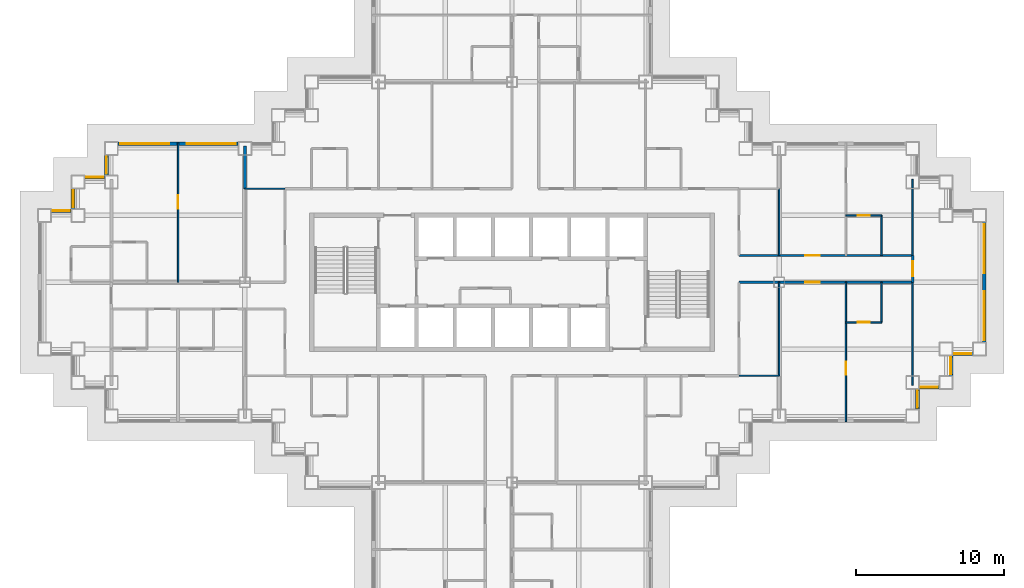
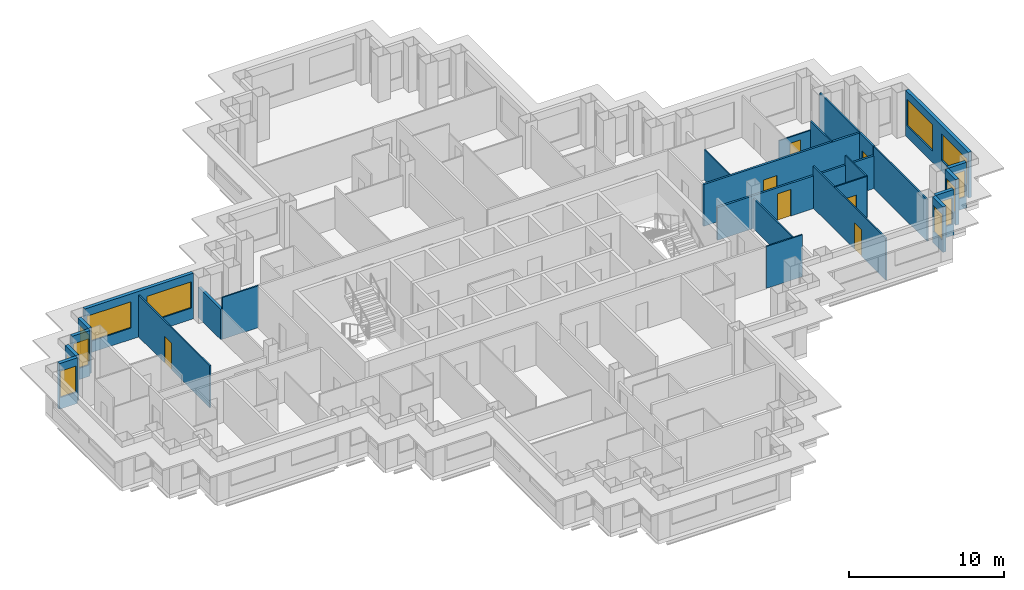
# One storey, part 7 of 15: 26 walls, 12 windows, 7 doors, 19 openings.
"""IFC4 building model written with IfcOpenShell, lengths in metres."""

from ifc_helpers import new_model, si_unit, direction, frame, frame_2d, origin, place, context, subcontext, project, spatial, rectangle, extrude, material, layer, layer_set, type_object, element, fill, save


model = new_model("IFC4")

# Units and contexts
model_context = context("Model", 3, precision=1e-05, world=origin(), true_north=direction((0.0, 1.0)))
body_context = subcontext(model_context, "Body", "Model", "MODEL_VIEW")
ifc_project = project(units=[si_unit("LENGTHUNIT", "METRE"), si_unit("AREAUNIT", "SQUARE_METRE"), si_unit("VOLUMEUNIT", "CUBIC_METRE"), si_unit("PLANEANGLEUNIT", "RADIAN"), si_unit("MASSUNIT", "GRAM", prefix="KILO")], contexts=[model_context])

# Site, building, storey
site_placement = place(None, origin())
site = spatial("IfcSite", under=ifc_project, at=site_placement, CompositionType="ELEMENT")
building_placement = place(site_placement, origin())
building = spatial("IfcBuilding", under=site, at=building_placement, Name="Caravel Reach Hotel and Residences", CompositionType="ELEMENT")
storey_placement = place(building_placement, frame((0.0, 0.0, 108.0)))
storey = spatial("IfcBuildingStorey", under=building, at=storey_placement, Name="L26", CompositionType="ELEMENT", Elevation=108.0)

# Wall, opening, door
ifc_material_1 = material(Name="Gypsum board on steel stud", Category="steel")
ifc_layer_1 = layer(ifc_material_1, 0.10009765625)
ifc_layer_set_1 = layer_set([ifc_layer_1], Name="Bathroom pod wall 100 mm")
wall_type_1 = type_object("IfcWallType", Name="Bathroom pod wall 100 mm", PredefinedType="PARTITIONING", material=ifc_layer_set_1)
wall_1_placement = place(storey_placement, frame((54.0, 24.300048828125, 0.0), z_axis=(0.0, 0.0, 1.0), x_axis=(1.0, 0.0, 0.0)))
wall_1 = element("IfcWall", 1, at=wall_1_placement, inside=storey, type_object=wall_type_1, Name="L26 wall w087", PredefinedType="PARTITIONING", context=body_context, shape_type="SweptSolid", body=[
    extrude(rectangle(XDim=2.39990234375, YDim=0.10009765625, at=frame_2d((1.199951171875, 0.0))), origin(), (0.0, 0.0, 1.0), 3.300048828125),
])
opening_1_placement = place(wall_1_placement, frame((0.800048828125, 0.0, 0.0)))
opening_1 = element("IfcOpeningElement", 2, at=opening_1_placement, cuts=wall_1, Name="Opening D26-024", PredefinedType="OPENING", context=body_context, shape_type="SweptSolid", body=[
    extrude(rectangle(XDim=0.800048828125, YDim=2.10009765625, at=frame_2d((0.39990234375, 1.050048828125))), frame((0.0, 0.06005859375, 0.0), z_axis=(0.0, -1.0, 0.0), x_axis=(1.0, 0.0, 0.0)), (0.0, 0.0, 1.0), 0.1201171875),
])
ifc_material_2 = material(Name="Timber and steel door leaf", Category="steel")
door_type_1 = type_object("IfcDoorType", Name="Bathroom door 800 x 2100", OperationType="SINGLE_SWING_LEFT", PredefinedType="DOOR", material=ifc_material_2)
door_1_placement = place(opening_1_placement, origin())
door_1 = element("IfcDoor", 3, at=door_1_placement, inside=storey, type_object=door_type_1, Name="door D26-024", OperationType="SINGLE_SWING_LEFT", OverallHeight=2.10009765625, OverallWidth=0.800048828125, PredefinedType="DOOR", context=body_context, shape_type="SweptSolid", body=[
    extrude(rectangle(XDim=0.800048828125, YDim=2.10009765625, at=frame_2d((0.39990234375, 1.050048828125))), frame((0.0, 0.02490234375, 0.0), z_axis=(0.0, -1.0, 0.0), x_axis=(1.0, 0.0, 0.0)), (0.0, 0.0, 1.0), 0.050048828125),
])
fill(opening_1, door_1)

wall_2_placement = place(storey_placement, frame((54.0, 31.5, 0.0), z_axis=(0.0, 0.0, 1.0), x_axis=(1.0, 0.0, 0.0)))
wall_2 = element("IfcWall", 4, at=wall_2_placement, inside=storey, type_object=wall_type_1, Name="L26 wall w091", PredefinedType="PARTITIONING", context=body_context, shape_type="SweptSolid", body=[
    extrude(rectangle(XDim=2.39990234375, YDim=0.10009765625, at=frame_2d((1.199951171875, 0.0))), origin(), (0.0, 0.0, 1.0), 2.580078125),
])
opening_2_placement = place(wall_2_placement, frame((0.800048828125, 0.0, 0.0)))
opening_2 = element("IfcOpeningElement", 5, at=opening_2_placement, cuts=wall_2, Name="Opening D26-027", PredefinedType="OPENING", context=body_context, shape_type="SweptSolid", body=[
    extrude(rectangle(XDim=0.800048828125, YDim=2.10009765625, at=frame_2d((0.39990234375, 1.050048828125))), frame((0.0, 0.06005859375, 0.0), z_axis=(0.0, -1.0, 0.0), x_axis=(1.0, 0.0, 0.0)), (0.0, 0.0, 1.0), 0.1201171875),
])
door_2_placement = place(opening_2_placement, origin())
door_2 = element("IfcDoor", 6, at=door_2_placement, inside=storey, type_object=door_type_1, Name="door D26-027", OperationType="SINGLE_SWING_LEFT", OverallHeight=2.10009765625, OverallWidth=0.800048828125, PredefinedType="DOOR", context=body_context, shape_type="SweptSolid", body=[
    extrude(rectangle(XDim=0.800048828125, YDim=2.10009765625, at=frame_2d((0.39990234375, 1.050048828125))), frame((0.0, 0.02490234375, 0.0), z_axis=(0.0, -1.0, 0.0), x_axis=(1.0, 0.0, 0.0)), (0.0, 0.0, 1.0), 0.050048828125),
])
fill(opening_2, door_2)

# Walls
for number, where, z_axis, x_axis, name in (
    (7, (56.39990234375, 28.800048828125, 0.0), (0.0, 0.0, 1.0), (0.0, 1.0, 0.0), "L26 wall w113"),
    (8, (56.39990234375, 24.300048828125, 0.0), (0.0, 0.0, 1.0), (0.0, 1.0, 0.0), "L26 wall w114"),
):
    element("IfcWall", number, at=place(storey_placement, frame(where, z_axis=z_axis, x_axis=x_axis)), inside=storey, type_object=wall_type_1, Name=name, PredefinedType="PARTITIONING", context=body_context, shape_type="SweptSolid", body=[
        extrude(rectangle(XDim=2.699951171875, YDim=0.10009765625, at=frame_2d((1.35009765625, 0.0))), origin(), (0.0, 0.0, 1.0), 3.300048828125),
    ])

# Wall, opening, door
ifc_material_3 = material(Name="Gypsum board on steel stud, fire-rated", Category="steel")
ifc_layer_2 = layer(ifc_material_3, 0.14990234375)
ifc_layer_set_2 = layer_set([ifc_layer_2], Name="Corridor wall 150 mm EI 60")
wall_type_2 = type_object("IfcWallType", Name="Corridor wall 150 mm EI 60", PredefinedType="PARTITIONING", material=ifc_layer_set_2)
wall_3_placement = place(storey_placement, frame((46.800048828125, 27.0, 0.0), z_axis=(0.0, 0.0, 1.0), x_axis=(1.0, 0.0, 0.0)))
wall_3 = element("IfcWall", 9, at=wall_3_placement, inside=storey, type_object=wall_type_2, Name="L26 wall w009", PredefinedType="PARTITIONING", context=body_context, shape_type="SweptSolid", body=[
    extrude(rectangle(XDim=11.699951171875, YDim=0.14990234375, at=frame_2d((5.85009765625, 0.0))), origin(), (0.0, 0.0, 1.0), 2.580078125),
])
opening_3_placement = place(wall_3_placement, frame((4.449951171875, 0.0, 0.0)))
opening_3 = element("IfcOpeningElement", 10, at=opening_3_placement, cuts=wall_3, Name="Opening D26-022", PredefinedType="OPENING", context=body_context, shape_type="SweptSolid", body=[
    extrude(rectangle(XDim=1.0, YDim=2.10009765625, at=frame_2d((0.5, 1.050048828125))), frame((0.0, 0.0849609375, 0.0), z_axis=(0.0, -1.0, 0.0), x_axis=(1.0, 0.0, 0.0)), (0.0, 0.0, 1.0), 0.169921875),
])
ifc_material_4 = material(Name="Steel fire door leaf", Category="steel")
door_type_2 = type_object("IfcDoorType", Name="Guest room door 1000 x 2100 EI 30", OperationType="SINGLE_SWING_LEFT", PredefinedType="DOOR", material=ifc_material_4)
door_3_placement = place(opening_3_placement, origin())
door_3 = element("IfcDoor", 11, at=door_3_placement, inside=storey, type_object=door_type_2, Name="door D26-022", OperationType="SINGLE_SWING_LEFT", OverallHeight=2.10009765625, OverallWidth=1.0, PredefinedType="DOOR", context=body_context, shape_type="SweptSolid", body=[
    extrude(rectangle(XDim=1.0, YDim=2.10009765625, at=frame_2d((0.5, 1.050048828125))), frame((0.0, 0.02490234375, 0.0), z_axis=(0.0, -1.0, 0.0), x_axis=(1.0, 0.0, 0.0)), (0.0, 0.0, 1.0), 0.050048828125),
])
fill(opening_3, door_3)

wall_4_placement = place(storey_placement, frame((46.800048828125, 28.800048828125, 0.0), z_axis=(0.0, 0.0, 1.0), x_axis=(1.0, 0.0, 0.0)))
wall_4 = element("IfcWall", 12, at=wall_4_placement, inside=storey, type_object=wall_type_2, Name="L26 wall w015", PredefinedType="PARTITIONING", context=body_context, shape_type="SweptSolid", body=[
    extrude(rectangle(XDim=11.699951171875, YDim=0.14990234375, at=frame_2d((5.85009765625, 0.0))), origin(), (0.0, 0.0, 1.0), 3.300048828125),
])
opening_4_placement = place(wall_4_placement, frame((4.449951171875, 0.0, 0.0)))
opening_4 = element("IfcOpeningElement", 13, at=opening_4_placement, cuts=wall_4, Name="Opening D26-025", PredefinedType="OPENING", context=body_context, shape_type="SweptSolid", body=[
    extrude(rectangle(XDim=1.0, YDim=2.10009765625, at=frame_2d((0.5, 1.050048828125))), frame((0.0, 0.0849609375, 0.0), z_axis=(0.0, -1.0, 0.0), x_axis=(1.0, 0.0, 0.0)), (0.0, 0.0, 1.0), 0.169921875),
])
door_4_placement = place(opening_4_placement, origin())
door_4 = element("IfcDoor", 14, at=door_4_placement, inside=storey, type_object=door_type_2, Name="door D26-025", OperationType="SINGLE_SWING_LEFT", OverallHeight=2.10009765625, OverallWidth=1.0, PredefinedType="DOOR", context=body_context, shape_type="SweptSolid", body=[
    extrude(rectangle(XDim=1.0, YDim=2.10009765625, at=frame_2d((0.5, 1.050048828125))), frame((0.0, 0.02490234375, 0.0), z_axis=(0.0, -1.0, 0.0), x_axis=(1.0, 0.0, 0.0)), (0.0, 0.0, 1.0), 0.050048828125),
])
fill(opening_4, door_4)

wall_5_placement = place(storey_placement, frame((58.5, 27.0, 0.0), z_axis=(0.0, 0.0, 1.0), x_axis=(0.0, 1.0, 0.0)))
wall_5 = element("IfcWall", 15, at=wall_5_placement, inside=storey, type_object=wall_type_2, Name="L26 wall w041", PredefinedType="PARTITIONING", context=body_context, shape_type="SweptSolid", body=[
    extrude(rectangle(XDim=1.800048828125, YDim=0.14990234375, at=frame_2d((0.89990234375, 0.0))), origin(), (0.0, 0.0, 1.0), 3.300048828125),
])
opening_5_placement = place(wall_5_placement, frame((0.39990234375, 0.0, 0.0)))
opening_5 = element("IfcOpeningElement", 16, at=opening_5_placement, cuts=wall_5, Name="Opening D26-041", PredefinedType="OPENING", context=body_context, shape_type="SweptSolid", body=[
    extrude(rectangle(XDim=1.0, YDim=2.10009765625, at=frame_2d((0.5, 1.050048828125))), frame((0.0, 0.0849609375, 0.0), z_axis=(0.0, -1.0, 0.0), x_axis=(1.0, 0.0, 0.0)), (0.0, 0.0, 1.0), 0.169921875),
])
door_5_placement = place(opening_5_placement, origin())
door_5 = element("IfcDoor", 17, at=door_5_placement, inside=storey, type_object=door_type_2, Name="door D26-041", OperationType="SINGLE_SWING_LEFT", OverallHeight=2.10009765625, OverallWidth=1.0, PredefinedType="DOOR", context=body_context, shape_type="SweptSolid", body=[
    extrude(rectangle(XDim=1.0, YDim=2.10009765625, at=frame_2d((0.5, 1.050048828125))), frame((0.0, 0.02490234375, 0.0), z_axis=(0.0, -1.0, 0.0), x_axis=(1.0, 0.0, 0.0)), (0.0, 0.0, 1.0), 0.050048828125),
])
fill(opening_5, door_5)

# Wall, opening, window
ifc_material_5 = material(Name="Insulated rainscreen wall, aluminium cladding", Category="aluminium")
ifc_layer_3 = layer(ifc_material_5, 0.25)
ifc_layer_set_3 = layer_set([ifc_layer_3], Name="EW1 Tower rainscreen wall")
wall_type_3 = type_object("IfcWallType", Name="EW1 Tower rainscreen wall", PredefinedType="SOLIDWALL", material=ifc_layer_set_3)
wall_6_placement = place(storey_placement, frame((58.824951171875, 18.449951171875, 0.0), z_axis=(0.0, 0.0, 1.0), x_axis=(0.0, 1.0, 0.0)))
wall_6 = element("IfcWall", 18, at=wall_6_placement, inside=storey, type_object=wall_type_3, Name="External wall L26 E16.1", PredefinedType="SOLIDWALL", context=body_context, shape_type="SweptSolid", body=[
    extrude(rectangle(XDim=1.35009765625, YDim=0.25, at=frame_2d((0.675048828125, 0.0))), origin(), (0.0, 0.0, 1.0), 3.60009765625),
])
opening_6_placement = place(wall_6_placement, frame((0.10009765625, 0.0, 0.89990234375)))
opening_6 = element("IfcOpeningElement", 19, at=opening_6_placement, cuts=wall_6, Name="Opening WN8", PredefinedType="OPENING", context=body_context, shape_type="SweptSolid", body=[
    extrude(rectangle(XDim=1.14990234375, YDim=2.080078125, at=frame_2d((0.574951171875, 1.0400390625))), frame((0.0, 0.135009765625, 0.0), z_axis=(0.0, -1.0, 0.0), x_axis=(1.0, 0.0, 0.0)), (0.0, 0.0, 1.0), 0.27001953125),
])
ifc_material_6 = material(Name="Dark low-e glazing in black aluminium frame", Category="aluminium")
window_type_1 = type_object("IfcWindowType", Name="Hotel suite corner window 1150 x 2080", PartitioningType="SINGLE_PANEL", PredefinedType="WINDOW", material=ifc_material_6)
window_1_placement = place(opening_6_placement, origin())
window_1 = element("IfcWindow", 20, at=window_1_placement, inside=storey, type_object=window_type_1, Name="Window L26 E16.1.1", OverallHeight=2.080078125, OverallWidth=1.14990234375, PartitioningType="SINGLE_PANEL", PredefinedType="WINDOW", context=body_context, shape_type="SweptSolid", body=[
    extrude(rectangle(XDim=1.14990234375, YDim=2.080078125, at=frame_2d((0.574951171875, 1.0400390625))), frame((0.0, 0.030029296875, 0.0), z_axis=(0.0, -1.0, 0.0), x_axis=(1.0, 0.0, 0.0)), (0.0, 0.0, 1.0), 0.06005859375),
])
fill(opening_6, window_1)

wall_7_placement = place(storey_placement, frame((58.949951171875, 19.925048828125, 0.0), z_axis=(0.0, 0.0, 1.0), x_axis=(1.0, 0.0, 0.0)))
wall_7 = element("IfcWall", 21, at=wall_7_placement, inside=storey, type_object=wall_type_3, Name="External wall L26 S17.1", PredefinedType="SOLIDWALL", context=body_context, shape_type="SweptSolid", body=[
    extrude(rectangle(XDim=1.35009765625, YDim=0.25, at=frame_2d((0.675048828125, 0.0))), origin(), (0.0, 0.0, 1.0), 3.60009765625),
])
opening_7_placement = place(wall_7_placement, frame((0.10009765625, 0.0, 0.89990234375)))
opening_7 = element("IfcOpeningElement", 22, at=opening_7_placement, cuts=wall_7, Name="Opening WN8", PredefinedType="OPENING", context=body_context, shape_type="SweptSolid", body=[
    extrude(rectangle(XDim=1.14990234375, YDim=2.080078125, at=frame_2d((0.574951171875, 1.0400390625))), frame((0.0, 0.135009765625, 0.0), z_axis=(0.0, -1.0, 0.0), x_axis=(1.0, 0.0, 0.0)), (0.0, 0.0, 1.0), 0.27001953125),
])
window_2_placement = place(opening_7_placement, origin())
window_2 = element("IfcWindow", 23, at=window_2_placement, inside=storey, type_object=window_type_1, Name="Window L26 S17.1.1", OverallHeight=2.080078125, OverallWidth=1.14990234375, PartitioningType="SINGLE_PANEL", PredefinedType="WINDOW", context=body_context, shape_type="SweptSolid", body=[
    extrude(rectangle(XDim=1.14990234375, YDim=2.080078125, at=frame_2d((0.574951171875, 1.0400390625))), frame((0.0, 0.030029296875, 0.0), z_axis=(0.0, -1.0, 0.0), x_axis=(1.0, 0.0, 0.0)), (0.0, 0.0, 1.0), 0.06005859375),
])
fill(opening_7, window_2)

wall_8_placement = place(storey_placement, frame((61.074951171875, 20.699951171875, 0.0), z_axis=(0.0, 0.0, 1.0), x_axis=(0.0, 1.0, 0.0)))
wall_8 = element("IfcWall", 24, at=wall_8_placement, inside=storey, type_object=wall_type_3, Name="External wall L26 E18.1", PredefinedType="SOLIDWALL", context=body_context, shape_type="SweptSolid", body=[
    extrude(rectangle(XDim=1.35009765625, YDim=0.25, at=frame_2d((0.675048828125, 0.0))), origin(), (0.0, 0.0, 1.0), 3.60009765625),
])
opening_8_placement = place(wall_8_placement, frame((0.10009765625, 0.0, 0.89990234375)))
opening_8 = element("IfcOpeningElement", 25, at=opening_8_placement, cuts=wall_8, Name="Opening WN8", PredefinedType="OPENING", context=body_context, shape_type="SweptSolid", body=[
    extrude(rectangle(XDim=1.14990234375, YDim=2.080078125, at=frame_2d((0.574951171875, 1.0400390625))), frame((0.0, 0.135009765625, 0.0), z_axis=(0.0, -1.0, 0.0), x_axis=(1.0, 0.0, 0.0)), (0.0, 0.0, 1.0), 0.27001953125),
])
window_3_placement = place(opening_8_placement, origin())
window_3 = element("IfcWindow", 26, at=window_3_placement, inside=storey, type_object=window_type_1, Name="Window L26 E18.1.1", OverallHeight=2.080078125, OverallWidth=1.14990234375, PartitioningType="SINGLE_PANEL", PredefinedType="WINDOW", context=body_context, shape_type="SweptSolid", body=[
    extrude(rectangle(XDim=1.14990234375, YDim=2.080078125, at=frame_2d((0.574951171875, 1.0400390625))), frame((0.0, 0.030029296875, 0.0), z_axis=(0.0, -1.0, 0.0), x_axis=(1.0, 0.0, 0.0)), (0.0, 0.0, 1.0), 0.06005859375),
])
fill(opening_8, window_3)

wall_9_placement = place(storey_placement, frame((61.199951171875, 22.175048828125, 0.0), z_axis=(0.0, 0.0, 1.0), x_axis=(1.0, 0.0, 0.0)))
wall_9 = element("IfcWall", 27, at=wall_9_placement, inside=storey, type_object=wall_type_3, Name="External wall L26 S19.1", PredefinedType="SOLIDWALL", context=body_context, shape_type="SweptSolid", body=[
    extrude(rectangle(XDim=1.35009765625, YDim=0.25, at=frame_2d((0.675048828125, 0.0))), origin(), (0.0, 0.0, 1.0), 3.60009765625),
])
opening_9_placement = place(wall_9_placement, frame((0.10009765625, 0.0, 0.89990234375)))
opening_9 = element("IfcOpeningElement", 28, at=opening_9_placement, cuts=wall_9, Name="Opening WN8", PredefinedType="OPENING", context=body_context, shape_type="SweptSolid", body=[
    extrude(rectangle(XDim=1.14990234375, YDim=2.080078125, at=frame_2d((0.574951171875, 1.0400390625))), frame((0.0, 0.135009765625, 0.0), z_axis=(0.0, -1.0, 0.0), x_axis=(1.0, 0.0, 0.0)), (0.0, 0.0, 1.0), 0.27001953125),
])
window_4_placement = place(opening_9_placement, origin())
window_4 = element("IfcWindow", 29, at=window_4_placement, inside=storey, type_object=window_type_1, Name="Window L26 S19.1.1", OverallHeight=2.080078125, OverallWidth=1.14990234375, PartitioningType="SINGLE_PANEL", PredefinedType="WINDOW", context=body_context, shape_type="SweptSolid", body=[
    extrude(rectangle(XDim=1.14990234375, YDim=2.080078125, at=frame_2d((0.574951171875, 1.0400390625))), frame((0.0, 0.030029296875, 0.0), z_axis=(0.0, -1.0, 0.0), x_axis=(1.0, 0.0, 0.0)), (0.0, 0.0, 1.0), 0.06005859375),
])
fill(opening_9, window_4)

# Wall, openings, windows
wall_10_placement = place(storey_placement, frame((63.324951171875, 22.949951171875, 0.0), z_axis=(0.0, 0.0, 1.0), x_axis=(0.0, 1.0, 0.0)))
wall_10 = element("IfcWall", 30, at=wall_10_placement, inside=storey, type_object=wall_type_3, Name="External wall L26 E20.1", PredefinedType="SOLIDWALL", context=body_context, shape_type="SweptSolid", body=[
    extrude(rectangle(XDim=8.10009765625, YDim=0.25, at=frame_2d((4.050048828125, 0.0))), origin(), (0.0, 0.0, 1.0), 3.60009765625),
])
opening_10_placement = place(wall_10_placement, frame((0.14990234375, 0.0, 0.89990234375)))
opening_10 = element("IfcOpeningElement", 31, at=opening_10_placement, cuts=wall_10, Name="Opening WN4", PredefinedType="OPENING", context=body_context, shape_type="SweptSolid", body=[
    extrude(rectangle(XDim=3.300048828125, YDim=2.080078125, at=frame_2d((1.64990234375, 1.0400390625))), frame((0.0, 0.135009765625, 0.0), z_axis=(0.0, -1.0, 0.0), x_axis=(1.0, 0.0, 0.0)), (0.0, 0.0, 1.0), 0.27001953125),
])
opening_11_placement = place(wall_10_placement, frame((4.64990234375, 0.0, 0.89990234375)))
opening_11 = element("IfcOpeningElement", 32, at=opening_11_placement, cuts=wall_10, Name="Opening WN4", PredefinedType="OPENING", context=body_context, shape_type="SweptSolid", body=[
    extrude(rectangle(XDim=3.300048828125, YDim=2.080078125, at=frame_2d((1.64990234375, 1.0400390625))), frame((0.0, 0.135009765625, 0.0), z_axis=(0.0, -1.0, 0.0), x_axis=(1.0, 0.0, 0.0)), (0.0, 0.0, 1.0), 0.27001953125),
])
ifc_material_7 = material(Name="Dark low-e glazing in black aluminium frame", Category="aluminium")
window_type_2 = type_object("IfcWindowType", Name="Hotel guest room window 3300 x 2080", PartitioningType="SINGLE_PANEL", PredefinedType="WINDOW", material=ifc_material_7)
window_5_placement = place(opening_10_placement, origin())
window_5 = element("IfcWindow", 33, at=window_5_placement, inside=storey, type_object=window_type_2, Name="Window L26 E20.1.1", OverallHeight=2.080078125, OverallWidth=3.300048828125, PartitioningType="SINGLE_PANEL", PredefinedType="WINDOW", context=body_context, shape_type="SweptSolid", body=[
    extrude(rectangle(XDim=3.300048828125, YDim=2.080078125, at=frame_2d((1.64990234375, 1.0400390625))), frame((0.0, 0.030029296875, 0.0), z_axis=(0.0, -1.0, 0.0), x_axis=(1.0, 0.0, 0.0)), (0.0, 0.0, 1.0), 0.06005859375),
])
fill(opening_10, window_5)
window_6_placement = place(opening_11_placement, origin())
window_6 = element("IfcWindow", 34, at=window_6_placement, inside=storey, type_object=window_type_2, Name="Window L26 E20.1.2", OverallHeight=2.080078125, OverallWidth=3.300048828125, PartitioningType="SINGLE_PANEL", PredefinedType="WINDOW", context=body_context, shape_type="SweptSolid", body=[
    extrude(rectangle(XDim=3.300048828125, YDim=2.080078125, at=frame_2d((1.64990234375, 1.0400390625))), frame((0.0, 0.030029296875, 0.0), z_axis=(0.0, -1.0, 0.0), x_axis=(1.0, 0.0, 0.0)), (0.0, 0.0, 1.0), 0.06005859375),
])
fill(opening_11, window_6)

wall_11_placement = place(storey_placement, frame((13.050048828125, 36.324951171875, 0.0), z_axis=(0.0, 0.0, 1.0), x_axis=(-1.0, 0.0, 0.0)))
wall_11 = element("IfcWall", 35, at=wall_11_placement, inside=storey, type_object=wall_type_3, Name="External wall L26 N45.2", PredefinedType="SOLIDWALL", context=body_context, shape_type="SweptSolid", body=[
    extrude(rectangle(XDim=8.10009765625, YDim=0.25, at=frame_2d((4.050048828125, 0.0))), origin(), (0.0, 0.0, 1.0), 3.60009765625),
])
opening_12_placement = place(wall_11_placement, frame((0.14990234375, 0.0, 0.89990234375)))
opening_12 = element("IfcOpeningElement", 36, at=opening_12_placement, cuts=wall_11, Name="Opening WN4", PredefinedType="OPENING", context=body_context, shape_type="SweptSolid", body=[
    extrude(rectangle(XDim=3.300048828125, YDim=2.080078125, at=frame_2d((1.64990234375, 1.0400390625))), frame((0.0, 0.135009765625, 0.0), z_axis=(0.0, -1.0, 0.0), x_axis=(1.0, 0.0, 0.0)), (0.0, 0.0, 1.0), 0.27001953125),
])
opening_13_placement = place(wall_11_placement, frame((4.64990234375, 0.0, 0.89990234375)))
opening_13 = element("IfcOpeningElement", 37, at=opening_13_placement, cuts=wall_11, Name="Opening WN4", PredefinedType="OPENING", context=body_context, shape_type="SweptSolid", body=[
    extrude(rectangle(XDim=3.300048828125, YDim=2.080078125, at=frame_2d((1.64990234375, 1.0400390625))), frame((0.0, 0.135009765625, 0.0), z_axis=(0.0, -1.0, 0.0), x_axis=(1.0, 0.0, 0.0)), (0.0, 0.0, 1.0), 0.27001953125),
])
window_7_placement = place(opening_12_placement, origin())
window_7 = element("IfcWindow", 38, at=window_7_placement, inside=storey, type_object=window_type_2, Name="Window L26 N45.2.1", OverallHeight=2.080078125, OverallWidth=3.300048828125, PartitioningType="SINGLE_PANEL", PredefinedType="WINDOW", context=body_context, shape_type="SweptSolid", body=[
    extrude(rectangle(XDim=3.300048828125, YDim=2.080078125, at=frame_2d((1.64990234375, 1.0400390625))), frame((0.0, 0.030029296875, 0.0), z_axis=(0.0, -1.0, 0.0), x_axis=(1.0, 0.0, 0.0)), (0.0, 0.0, 1.0), 0.06005859375),
])
fill(opening_12, window_7)
window_8_placement = place(opening_13_placement, origin())
window_8 = element("IfcWindow", 39, at=window_8_placement, inside=storey, type_object=window_type_2, Name="Window L26 N45.2.2", OverallHeight=2.080078125, OverallWidth=3.300048828125, PartitioningType="SINGLE_PANEL", PredefinedType="WINDOW", context=body_context, shape_type="SweptSolid", body=[
    extrude(rectangle(XDim=3.300048828125, YDim=2.080078125, at=frame_2d((1.64990234375, 1.0400390625))), frame((0.0, 0.030029296875, 0.0), z_axis=(0.0, -1.0, 0.0), x_axis=(1.0, 0.0, 0.0)), (0.0, 0.0, 1.0), 0.06005859375),
])
fill(opening_13, window_8)

# Wall, opening, window
wall_12_placement = place(storey_placement, frame((4.175048828125, 35.550048828125, 0.0), z_axis=(0.0, 0.0, 1.0), x_axis=(0.0, -1.0, 0.0)))
wall_12 = element("IfcWall", 40, at=wall_12_placement, inside=storey, type_object=wall_type_3, Name="External wall L26 W46.1", PredefinedType="SOLIDWALL", context=body_context, shape_type="SweptSolid", body=[
    extrude(rectangle(XDim=1.35009765625, YDim=0.25, at=frame_2d((0.675048828125, 0.0))), origin(), (0.0, 0.0, 1.0), 3.60009765625),
])
opening_14_placement = place(wall_12_placement, frame((0.10009765625, 0.0, 0.89990234375)))
opening_14 = element("IfcOpeningElement", 41, at=opening_14_placement, cuts=wall_12, Name="Opening WN8", PredefinedType="OPENING", context=body_context, shape_type="SweptSolid", body=[
    extrude(rectangle(XDim=1.14990234375, YDim=2.080078125, at=frame_2d((0.574951171875, 1.0400390625))), frame((0.0, 0.135009765625, 0.0), z_axis=(0.0, -1.0, 0.0), x_axis=(1.0, 0.0, 0.0)), (0.0, 0.0, 1.0), 0.27001953125),
])
window_9_placement = place(opening_14_placement, origin())
window_9 = element("IfcWindow", 42, at=window_9_placement, inside=storey, type_object=window_type_1, Name="Window L26 W46.1.1", OverallHeight=2.080078125, OverallWidth=1.14990234375, PartitioningType="SINGLE_PANEL", PredefinedType="WINDOW", context=body_context, shape_type="SweptSolid", body=[
    extrude(rectangle(XDim=1.14990234375, YDim=2.080078125, at=frame_2d((0.574951171875, 1.0400390625))), frame((0.0, 0.030029296875, 0.0), z_axis=(0.0, -1.0, 0.0), x_axis=(1.0, 0.0, 0.0)), (0.0, 0.0, 1.0), 0.06005859375),
])
fill(opening_14, window_9)

wall_13_placement = place(storey_placement, frame((4.050048828125, 34.074951171875, 0.0), z_axis=(0.0, 0.0, 1.0), x_axis=(-1.0, 0.0, 0.0)))
wall_13 = element("IfcWall", 43, at=wall_13_placement, inside=storey, type_object=wall_type_3, Name="External wall L26 N47.1", PredefinedType="SOLIDWALL", context=body_context, shape_type="SweptSolid", body=[
    extrude(rectangle(XDim=1.35009765625, YDim=0.25, at=frame_2d((0.675048828125, 0.0))), origin(), (0.0, 0.0, 1.0), 3.60009765625),
])
opening_15_placement = place(wall_13_placement, frame((0.10009765625, 0.0, 0.89990234375)))
opening_15 = element("IfcOpeningElement", 44, at=opening_15_placement, cuts=wall_13, Name="Opening WN8", PredefinedType="OPENING", context=body_context, shape_type="SweptSolid", body=[
    extrude(rectangle(XDim=1.14990234375, YDim=2.080078125, at=frame_2d((0.574951171875, 1.0400390625))), frame((0.0, 0.135009765625, 0.0), z_axis=(0.0, -1.0, 0.0), x_axis=(1.0, 0.0, 0.0)), (0.0, 0.0, 1.0), 0.27001953125),
])
window_10_placement = place(opening_15_placement, origin())
window_10 = element("IfcWindow", 45, at=window_10_placement, inside=storey, type_object=window_type_1, Name="Window L26 N47.1.1", OverallHeight=2.080078125, OverallWidth=1.14990234375, PartitioningType="SINGLE_PANEL", PredefinedType="WINDOW", context=body_context, shape_type="SweptSolid", body=[
    extrude(rectangle(XDim=1.14990234375, YDim=2.080078125, at=frame_2d((0.574951171875, 1.0400390625))), frame((0.0, 0.030029296875, 0.0), z_axis=(0.0, -1.0, 0.0), x_axis=(1.0, 0.0, 0.0)), (0.0, 0.0, 1.0), 0.06005859375),
])
fill(opening_15, window_10)

wall_14_placement = place(storey_placement, frame((1.925048828125, 33.300048828125, 0.0), z_axis=(0.0, 0.0, 1.0), x_axis=(0.0, -1.0, 0.0)))
wall_14 = element("IfcWall", 46, at=wall_14_placement, inside=storey, type_object=wall_type_3, Name="External wall L26 W48.1", PredefinedType="SOLIDWALL", context=body_context, shape_type="SweptSolid", body=[
    extrude(rectangle(XDim=1.35009765625, YDim=0.25, at=frame_2d((0.675048828125, 0.0))), origin(), (0.0, 0.0, 1.0), 3.60009765625),
])
opening_16_placement = place(wall_14_placement, frame((0.10009765625, 0.0, 0.89990234375)))
opening_16 = element("IfcOpeningElement", 47, at=opening_16_placement, cuts=wall_14, Name="Opening WN8", PredefinedType="OPENING", context=body_context, shape_type="SweptSolid", body=[
    extrude(rectangle(XDim=1.14990234375, YDim=2.080078125, at=frame_2d((0.574951171875, 1.0400390625))), frame((0.0, 0.135009765625, 0.0), z_axis=(0.0, -1.0, 0.0), x_axis=(1.0, 0.0, 0.0)), (0.0, 0.0, 1.0), 0.27001953125),
])
window_11_placement = place(opening_16_placement, origin())
window_11 = element("IfcWindow", 48, at=window_11_placement, inside=storey, type_object=window_type_1, Name="Window L26 W48.1.1", OverallHeight=2.080078125, OverallWidth=1.14990234375, PartitioningType="SINGLE_PANEL", PredefinedType="WINDOW", context=body_context, shape_type="SweptSolid", body=[
    extrude(rectangle(XDim=1.14990234375, YDim=2.080078125, at=frame_2d((0.574951171875, 1.0400390625))), frame((0.0, 0.030029296875, 0.0), z_axis=(0.0, -1.0, 0.0), x_axis=(1.0, 0.0, 0.0)), (0.0, 0.0, 1.0), 0.06005859375),
])
fill(opening_16, window_11)

wall_15_placement = place(storey_placement, frame((1.800048828125, 31.824951171875, 0.0), z_axis=(0.0, 0.0, 1.0), x_axis=(-1.0, 0.0, 0.0)))
wall_15 = element("IfcWall", 49, at=wall_15_placement, inside=storey, type_object=wall_type_3, Name="External wall L26 N49.1", PredefinedType="SOLIDWALL", context=body_context, shape_type="SweptSolid", body=[
    extrude(rectangle(XDim=1.35009765625, YDim=0.25, at=frame_2d((0.675048828125, 0.0))), origin(), (0.0, 0.0, 1.0), 3.60009765625),
])
opening_17_placement = place(wall_15_placement, frame((0.10009765625, 0.0, 0.89990234375)))
opening_17 = element("IfcOpeningElement", 50, at=opening_17_placement, cuts=wall_15, Name="Opening WN8", PredefinedType="OPENING", context=body_context, shape_type="SweptSolid", body=[
    extrude(rectangle(XDim=1.14990234375, YDim=2.080078125, at=frame_2d((0.574951171875, 1.0400390625))), frame((0.0, 0.135009765625, 0.0), z_axis=(0.0, -1.0, 0.0), x_axis=(1.0, 0.0, 0.0)), (0.0, 0.0, 1.0), 0.27001953125),
])
window_12_placement = place(opening_17_placement, origin())
window_12 = element("IfcWindow", 51, at=window_12_placement, inside=storey, type_object=window_type_1, Name="Window L26 N49.1.1", OverallHeight=2.080078125, OverallWidth=1.14990234375, PartitioningType="SINGLE_PANEL", PredefinedType="WINDOW", context=body_context, shape_type="SweptSolid", body=[
    extrude(rectangle(XDim=1.14990234375, YDim=2.080078125, at=frame_2d((0.574951171875, 1.0400390625))), frame((0.0, 0.030029296875, 0.0), z_axis=(0.0, -1.0, 0.0), x_axis=(1.0, 0.0, 0.0)), (0.0, 0.0, 1.0), 0.06005859375),
])
fill(opening_17, window_12)

# Walls
ifc_material_8 = material(Name="Gypsum board on steel stud", Category="steel")
ifc_layer_4 = layer(ifc_material_8, 0.10009765625)
ifc_layer_set_4 = layer_set([ifc_layer_4], Name="Partition 100 mm")
wall_type_4 = type_object("IfcWallType", Name="Partition 100 mm", PredefinedType="PARTITIONING", material=ifc_layer_set_4)
for number, where, z_axis, x_axis, name in (
    (52, (46.800048828125, 20.699951171875, 0.0), (0.0, 0.0, 1.0), (1.0, 0.0, 0.0), "L26 wall w046"),
    (53, (13.5, 33.300048828125, 0.0), (0.0, 0.0, 1.0), (1.0, 0.0, 0.0), "L26 wall w047"),
):
    element("IfcWall", number, at=place(storey_placement, frame(where, z_axis=z_axis, x_axis=x_axis)), inside=storey, type_object=wall_type_4, Name=name, PredefinedType="PARTITIONING", context=body_context, shape_type="SweptSolid", body=[
        extrude(rectangle(XDim=2.699951171875, YDim=0.10009765625, at=frame_2d((1.35009765625, 0.0))), origin(), (0.0, 0.0, 1.0), 3.300048828125),
    ])
wall_16_placement = place(storey_placement, frame((49.5, 28.800048828125, 0.0), z_axis=(0.0, 0.0, 1.0), x_axis=(0.0, 1.0, 0.0)))
element("IfcWall", 54, at=wall_16_placement, inside=storey, type_object=wall_type_4, Name="L26 wall w064", PredefinedType="PARTITIONING", context=body_context, shape_type="SweptSolid", body=[
    extrude(rectangle(XDim=4.5, YDim=0.10009765625, at=frame_2d((2.25, 0.0))), origin(), (0.0, 0.0, 1.0), 2.3798828125),
])
wall_17_placement = place(storey_placement, frame((49.5, 20.699951171875, 0.0), z_axis=(0.0, 0.0, 1.0), x_axis=(0.0, 1.0, 0.0)))
element("IfcWall", 55, at=wall_17_placement, inside=storey, type_object=wall_type_4, Name="L26 wall w065", PredefinedType="PARTITIONING", context=body_context, shape_type="SweptSolid", body=[
    extrude(rectangle(XDim=6.300048828125, YDim=0.10009765625, at=frame_2d((3.14990234375, 0.0))), origin(), (0.0, 0.0, 1.0), 2.3798828125),
])

# Wall, opening, door
wall_18_placement = place(storey_placement, frame((54.0, 17.610107421875, 0.0), z_axis=(0.0, 0.0, 1.0), x_axis=(0.0, 1.0, 0.0)))
wall_18 = element("IfcWall", 56, at=wall_18_placement, inside=storey, type_object=wall_type_4, Name="L26 wall w067", PredefinedType="PARTITIONING", context=body_context, shape_type="SweptSolid", body=[
    extrude(rectangle(XDim=9.389892578125, YDim=0.10009765625, at=frame_2d((4.69482421875, 0.0))), origin(), (0.0, 0.0, 1.0), 3.300048828125),
])
opening_18_placement = place(wall_18_placement, frame((3.14990234375, 0.0, 0.0)))
opening_18 = element("IfcOpeningElement", 57, at=opening_18_placement, cuts=wall_18, Name="Opening D26-023", PredefinedType="OPENING", context=body_context, shape_type="SweptSolid", body=[
    extrude(rectangle(XDim=0.89990234375, YDim=2.10009765625, at=frame_2d((0.449951171875, 1.050048828125))), frame((0.0, 0.06005859375, 0.0), z_axis=(0.0, -1.0, 0.0), x_axis=(1.0, 0.0, 0.0)), (0.0, 0.0, 1.0), 0.1201171875),
])
ifc_material_9 = material(Name="Timber and steel door leaf", Category="steel")
door_type_3 = type_object("IfcDoorType", Name="Door 900 x 2100 timber", OperationType="SINGLE_SWING_LEFT", PredefinedType="DOOR", material=ifc_material_9)
door_6_placement = place(opening_18_placement, origin())
door_6 = element("IfcDoor", 58, at=door_6_placement, inside=storey, type_object=door_type_3, Name="door D26-023", OperationType="SINGLE_SWING_LEFT", OverallHeight=2.10009765625, OverallWidth=0.89990234375, PredefinedType="DOOR", context=body_context, shape_type="SweptSolid", body=[
    extrude(rectangle(XDim=0.89990234375, YDim=2.10009765625, at=frame_2d((0.449951171875, 1.050048828125))), frame((0.0, 0.02490234375, 0.0), z_axis=(0.0, -1.0, 0.0), x_axis=(1.0, 0.0, 0.0)), (0.0, 0.0, 1.0), 0.050048828125),
])
fill(opening_18, door_6)

# Walls
wall_19_placement = place(storey_placement, frame((58.5, 28.800048828125, 0.0), z_axis=(0.0, 0.0, 1.0), x_axis=(0.0, 1.0, 0.0)))
element("IfcWall", 59, at=wall_19_placement, inside=storey, type_object=wall_type_4, Name="L26 wall w068", PredefinedType="PARTITIONING", context=body_context, shape_type="SweptSolid", body=[
    extrude(rectangle(XDim=5.139892578125, YDim=0.10009765625, at=frame_2d((2.56982421875, 0.0))), origin(), (0.0, 0.0, 1.0), 3.300048828125),
])
wall_20_placement = place(storey_placement, frame((58.5, 20.06005859375, 0.0), z_axis=(0.0, 0.0, 1.0), x_axis=(0.0, 1.0, 0.0)))
element("IfcWall", 60, at=wall_20_placement, inside=storey, type_object=wall_type_4, Name="L26 wall w069", PredefinedType="PARTITIONING", context=body_context, shape_type="SweptSolid", body=[
    extrude(rectangle(XDim=6.93994140625, YDim=0.10009765625, at=frame_2d((3.469970703125, 0.0))), origin(), (0.0, 0.0, 1.0), 3.300048828125),
])

# Wall, opening, door
wall_21_placement = place(storey_placement, frame((9.0, 27.0, 0.0), z_axis=(0.0, 0.0, 1.0), x_axis=(0.0, 1.0, 0.0)))
wall_21 = element("IfcWall", 61, at=wall_21_placement, inside=storey, type_object=wall_type_4, Name="L26 wall w070", PredefinedType="PARTITIONING", context=body_context, shape_type="SweptSolid", body=[
    extrude(rectangle(XDim=9.389892578125, YDim=0.10009765625, at=frame_2d((4.69482421875, 0.0))), origin(), (0.0, 0.0, 1.0), 3.300048828125),
])
opening_19_placement = place(wall_21_placement, frame((4.949951171875, 0.0, 0.0)))
opening_19 = element("IfcOpeningElement", 62, at=opening_19_placement, cuts=wall_21, Name="Opening D26-020", PredefinedType="OPENING", context=body_context, shape_type="SweptSolid", body=[
    extrude(rectangle(XDim=0.89990234375, YDim=2.10009765625, at=frame_2d((0.449951171875, 1.050048828125))), frame((0.0, 0.06005859375, 0.0), z_axis=(0.0, -1.0, 0.0), x_axis=(1.0, 0.0, 0.0)), (0.0, 0.0, 1.0), 0.1201171875),
])
door_7_placement = place(opening_19_placement, origin())
door_7 = element("IfcDoor", 63, at=door_7_placement, inside=storey, type_object=door_type_3, Name="door D26-020", OperationType="SINGLE_SWING_RIGHT", OverallHeight=2.10009765625, OverallWidth=0.89990234375, PredefinedType="DOOR", context=body_context, shape_type="SweptSolid", body=[
    extrude(rectangle(XDim=0.89990234375, YDim=2.10009765625, at=frame_2d((0.449951171875, 1.050048828125))), frame((0.0, 0.02490234375, 0.0), z_axis=(0.0, -1.0, 0.0), x_axis=(1.0, 0.0, 0.0)), (0.0, 0.0, 1.0), 0.050048828125),
])
fill(opening_19, door_7)

# Wall
ifc_material_10 = material(Name="Autoclaved aerated block wall")
ifc_layer_5 = layer(ifc_material_10, 0.199951171875)
ifc_layer_set_5 = layer_set([ifc_layer_5], Name="Party wall 200 mm EI 60")
wall_type_5 = type_object("IfcWallType", Name="Party wall 200 mm EI 60", PredefinedType="PARTITIONING", material=ifc_layer_set_5)
wall_22_placement = place(storey_placement, frame((13.5, 33.300048828125, 0.0), z_axis=(0.0, 0.0, 1.0), x_axis=(0.0, 1.0, 0.0)))
element("IfcWall", 64, at=wall_22_placement, inside=storey, type_object=wall_type_5, Name="L26 wall w075", PredefinedType="PARTITIONING", context=body_context, shape_type="SweptSolid", body=[
    extrude(rectangle(XDim=2.889892578125, YDim=0.199951171875, at=frame_2d((1.44482421875, 0.0))), origin(), (0.0, 0.0, 1.0), 2.3798828125),
])

save(model, "model.ifc")
